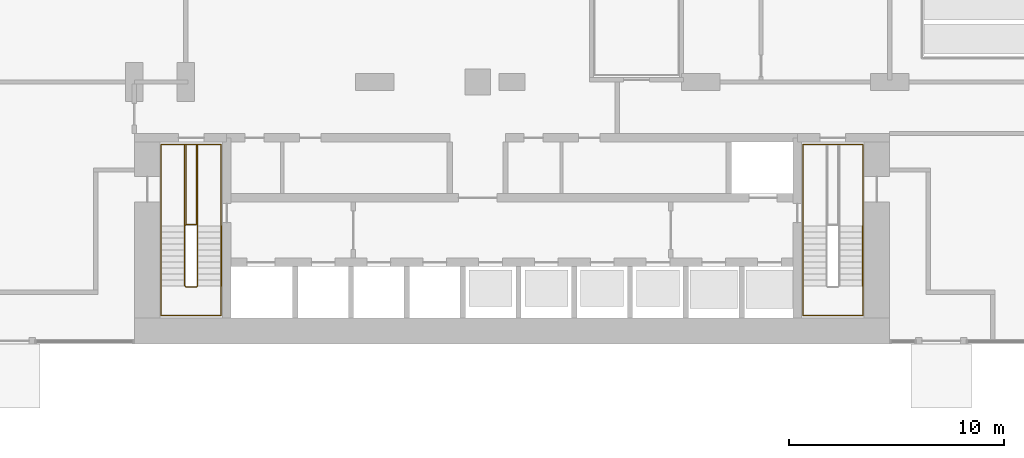
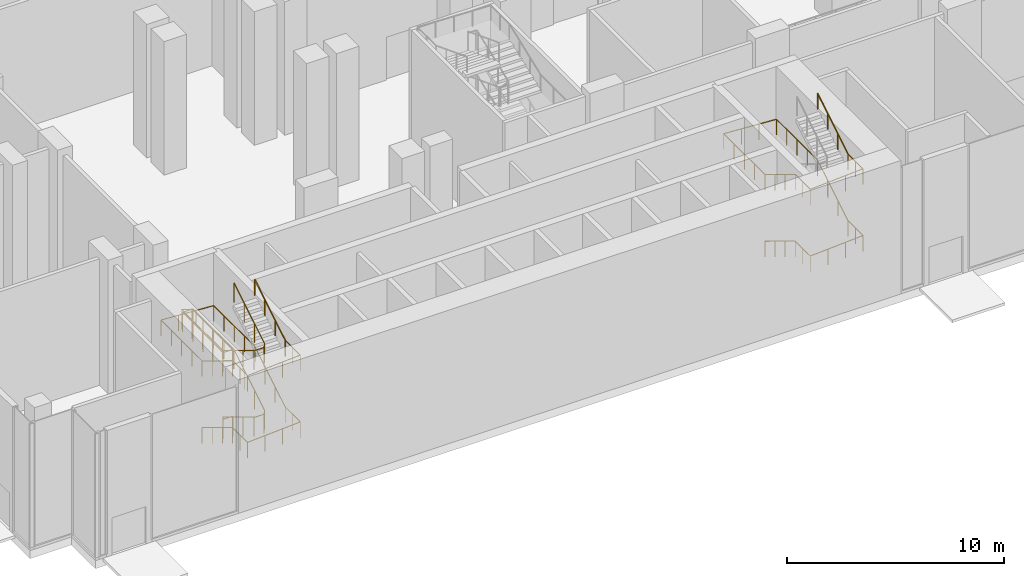
# One storey, part 32 of 41: 7 railings.
"""IFC4 building model written with IfcOpenShell, lengths in metres."""

from ifc_helpers import new_model, si_unit, direction, frame, origin, origin_2d, place, context, subcontext, project, spatial, circle, extrude, material, type_object, element, save


model = new_model("IFC4")

# Units and contexts
model_context = context("Model", 3, precision=1e-05, world=origin(), true_north=direction((0.0, 1.0)))
body_context = subcontext(model_context, "Body", "Model", "MODEL_VIEW")
ifc_project = project(units=[si_unit("LENGTHUNIT", "METRE"), si_unit("AREAUNIT", "SQUARE_METRE"), si_unit("VOLUMEUNIT", "CUBIC_METRE"), si_unit("PLANEANGLEUNIT", "RADIAN"), si_unit("MASSUNIT", "GRAM", prefix="KILO")], contexts=[model_context])

# Site, building, storey
site_placement = place(None, origin())
site = spatial("IfcSite", under=ifc_project, at=site_placement, CompositionType="ELEMENT")
building_placement = place(site_placement, origin())
building = spatial("IfcBuilding", under=site, at=building_placement, Name="Kemantara Hotel Tower", CompositionType="ELEMENT")
storey_placement = place(building_placement, origin())
storey = spatial("IfcBuildingStorey", under=building, at=storey_placement, Name="L00", CompositionType="ELEMENT", Elevation=0.0)

# Railings
ifc_material = material(Name="Stainless steel balustrade", Category="steel")
railing_type_1 = type_object("IfcRailingType", Name="Stair guard 1100 mm", PredefinedType="GUARDRAIL", material=ifc_material)
railing_1_placement = place(storey_placement, frame((12.75, 5.5, 7.5)))
element("IfcRailing", 1, at=railing_1_placement, inside=storey, type_object=railing_type_1, Name="L00 ST1 stair guard 1", PredefinedType="GUARDRAIL", context=body_context, shape_type="SweptSolid", body=[
    extrude(circle(Radius=0.02392578125, at=origin_2d()), frame((0.0, 0.0, 1.076171875), z_axis=(0.0, -0.854169791009, -0.51999420009), x_axis=(1.0, 0.0, 0.0)), (0.0, 0.0, 1.0), 3.278076171875),
    extrude(circle(Radius=0.02392578125, at=origin_2d()), frame((0.0, -2.800048828125, -0.62841796875), z_axis=(-0.271230943075, -0.271230943075, -0.923508284228), x_axis=(0.707106781187, -0.707106781187, 0.0)), (0.0, 0.0, 1.0), 0.1845703125),
    extrude(circle(Radius=0.02392578125, at=origin_2d()), frame((-0.050048828125, -2.85009765625, -0.798828125), z_axis=(-1.0, 0.0, 0.0), x_axis=(0.0, -1.0, 0.0)), (0.0, 0.0, 1.0), 0.5),
    extrude(circle(Radius=0.02392578125, at=origin_2d()), frame((-0.550048828125, -2.85009765625, -0.798828125), z_axis=(-0.707106781187, 0.707106781187, 0.0), x_axis=(-0.707106781187, -0.707106781187, 0.0)), (0.0, 0.0, 1.0), 0.07080078125),
    extrude(circle(Radius=0.02392578125, at=origin_2d()), frame((-0.60009765625, -2.800048828125, -0.798828125), z_axis=(0.0, 0.854169791009, -0.51999420009), x_axis=(-1.0, 0.0, 0.0)), (0.0, 0.0, 1.0), 3.278076171875),
    extrude(circle(Radius=0.02392578125, at=origin_2d()), frame((-0.60009765625, 0.0, -2.50341796875), z_axis=(0.0, 1.0, 0.0), x_axis=(-1.0, 0.0, 0.0)), (0.0, 0.0, 1.0), 3.780029296875),
    extrude(circle(Radius=0.02392578125, at=origin_2d()), frame((-0.60009765625, 3.780029296875, -2.50341796875), z_axis=(0.955208872194, 0.0, -0.295932442429), x_axis=(0.0, 1.0, 0.0)), (0.0, 0.0, 1.0), 0.575927734375),
    extrude(circle(Radius=0.02392578125, at=origin_2d()), frame((-0.050048828125, 3.780029296875, -2.673828125), z_axis=(0.0, -1.0, 0.0), x_axis=(1.0, 0.0, 0.0)), (0.0, 0.0, 1.0), 3.72998046875),
    extrude(circle(Radius=0.02392578125, at=origin_2d()), frame((-0.050048828125, 0.050048828125, -2.673828125), z_axis=(-1.0, 0.0, 0.0), x_axis=(0.0, -1.0, 0.0)), (0.0, 0.0, 1.0), 0.5),
    extrude(circle(Radius=0.02392578125, at=origin_2d()), frame((-0.550048828125, 0.050048828125, -2.673828125), z_axis=(0.0, 1.0, 0.0), x_axis=(-1.0, 0.0, 0.0)), (0.0, 0.0, 1.0), 3.72998046875),
    extrude(circle(Radius=0.02392578125, at=origin_2d()), frame((-0.550048828125, 3.780029296875, -2.673828125), z_axis=(1.0, 0.0, 0.0), x_axis=(0.0, 1.0, 0.0)), (0.0, 0.0, 1.0), 0.550048828125),
    extrude(circle(Radius=0.02392578125, at=origin_2d()), frame((0.0, 3.780029296875, -2.673828125), z_axis=(0.0, -1.0, 0.0), x_axis=(1.0, 0.0, 0.0)), (0.0, 0.0, 1.0), 3.780029296875),
    extrude(circle(Radius=0.02392578125, at=origin_2d()), frame((0.0, 0.0, -2.673828125), z_axis=(0.0, -0.854169791009, -0.51999420009), x_axis=(1.0, 0.0, 0.0)), (0.0, 0.0, 1.0), 3.278076171875),
    extrude(circle(Radius=0.02392578125, at=origin_2d()), frame((0.0, -2.800048828125, -4.37841796875), z_axis=(-0.271230943075, -0.271230943075, -0.923508284228), x_axis=(0.707106781187, -0.707106781187, 0.0)), (0.0, 0.0, 1.0), 0.1845703125),
    extrude(circle(Radius=0.02392578125, at=origin_2d()), frame((-0.050048828125, -2.85009765625, -4.548828125), z_axis=(-1.0, 0.0, 0.0), x_axis=(0.0, -1.0, 0.0)), (0.0, 0.0, 1.0), 0.5),
    extrude(circle(Radius=0.02392578125, at=origin_2d()), frame((-0.550048828125, -2.85009765625, -4.548828125), z_axis=(-0.707106781187, 0.707106781187, 0.0), x_axis=(-0.707106781187, -0.707106781187, 0.0)), (0.0, 0.0, 1.0), 0.07080078125),
    extrude(circle(Radius=0.02392578125, at=origin_2d()), frame((-0.60009765625, -2.800048828125, -4.548828125), z_axis=(0.0, 0.854169791009, -0.51999420009), x_axis=(-1.0, 0.0, 0.0)), (0.0, 0.0, 1.0), 3.278076171875),
    extrude(circle(Radius=0.02392578125, at=origin_2d()), frame((-0.60009765625, 0.0, -6.25341796875), z_axis=(0.271230943075, 0.271230943075, -0.923508284228), x_axis=(-0.707106781187, 0.707106781187, 0.0)), (0.0, 0.0, 1.0), 0.1845703125),
    extrude(circle(Radius=0.02392578125, at=origin_2d()), frame((-0.550048828125, 0.050048828125, -6.423828125), z_axis=(1.0, 0.0, 0.0), x_axis=(0.0, 1.0, 0.0)), (0.0, 0.0, 1.0), 0.5),
    extrude(circle(Radius=0.02099609375, at=origin_2d()), origin(), (0.0, 0.0, 1.0), 1.052001953125),
    extrude(circle(Radius=0.02099609375, at=origin_2d()), frame((0.0, -0.933349609375, -0.568115234375)), (0.0, 0.0, 1.0), 1.052001953125),
    extrude(circle(Radius=0.02099609375, at=origin_2d()), frame((0.0, -1.86669921875, -1.136474609375)), (0.0, 0.0, 1.0), 1.052001953125),
    extrude(circle(Radius=0.02099609375, at=origin_2d()), frame((0.0, -2.800048828125, -1.70458984375)), (0.0, 0.0, 1.0), 1.052001953125),
    extrude(circle(Radius=0.02099609375, at=origin_2d()), frame((-0.050048828125, -2.85009765625, -1.875)), (0.0, 0.0, 1.0), 1.052001953125),
    extrude(circle(Radius=0.02099609375, at=origin_2d()), frame((-0.550048828125, -2.85009765625, -1.875)), (0.0, 0.0, 1.0), 1.052001953125),
    extrude(circle(Radius=0.02099609375, at=origin_2d()), frame((-0.60009765625, -2.800048828125, -1.875)), (0.0, 0.0, 1.0), 1.052001953125),
    extrude(circle(Radius=0.02099609375, at=origin_2d()), frame((-0.60009765625, -1.86669921875, -2.443115234375)), (0.0, 0.0, 1.0), 1.052001953125),
    extrude(circle(Radius=0.02099609375, at=origin_2d()), frame((-0.60009765625, -0.933349609375, -3.011474609375)), (0.0, 0.0, 1.0), 1.052001953125),
    extrude(circle(Radius=0.02099609375, at=origin_2d()), frame((-0.60009765625, 0.0, -3.57958984375)), (0.0, 0.0, 1.0), 1.052001953125),
    extrude(circle(Radius=0.02099609375, at=origin_2d()), frame((-0.60009765625, 0.945068359375, -3.57958984375)), (0.0, 0.0, 1.0), 1.052001953125),
    extrude(circle(Radius=0.02099609375, at=origin_2d()), frame((-0.60009765625, 1.89013671875, -3.57958984375)), (0.0, 0.0, 1.0), 1.052001953125),
    extrude(circle(Radius=0.02099609375, at=origin_2d()), frame((-0.60009765625, 2.8349609375, -3.57958984375)), (0.0, 0.0, 1.0), 1.052001953125),
    extrude(circle(Radius=0.02099609375, at=origin_2d()), frame((-0.60009765625, 3.780029296875, -3.57958984375)), (0.0, 0.0, 1.0), 1.052001953125),
    extrude(circle(Radius=0.02099609375, at=origin_2d()), frame((-0.050048828125, 3.780029296875, -3.75)), (0.0, 0.0, 1.0), 1.052001953125),
    extrude(circle(Radius=0.02099609375, at=origin_2d()), frame((-0.050048828125, 2.84765625, -3.75)), (0.0, 0.0, 1.0), 1.052001953125),
    extrude(circle(Radius=0.02099609375, at=origin_2d()), frame((-0.050048828125, 1.9150390625, -3.75)), (0.0, 0.0, 1.0), 1.052001953125),
    extrude(circle(Radius=0.02099609375, at=origin_2d()), frame((-0.050048828125, 0.982421875, -3.75)), (0.0, 0.0, 1.0), 1.052001953125),
    extrude(circle(Radius=0.02099609375, at=origin_2d()), frame((-0.050048828125, 0.050048828125, -3.75)), (0.0, 0.0, 1.0), 1.052001953125),
    extrude(circle(Radius=0.02099609375, at=origin_2d()), frame((-0.550048828125, 0.050048828125, -3.75)), (0.0, 0.0, 1.0), 1.052001953125),
    extrude(circle(Radius=0.02099609375, at=origin_2d()), frame((-0.550048828125, 0.982421875, -3.75)), (0.0, 0.0, 1.0), 1.052001953125),
    extrude(circle(Radius=0.02099609375, at=origin_2d()), frame((-0.550048828125, 1.9150390625, -3.75)), (0.0, 0.0, 1.0), 1.052001953125),
    extrude(circle(Radius=0.02099609375, at=origin_2d()), frame((-0.550048828125, 2.84765625, -3.75)), (0.0, 0.0, 1.0), 1.052001953125),
    extrude(circle(Radius=0.02099609375, at=origin_2d()), frame((-0.550048828125, 3.780029296875, -3.75)), (0.0, 0.0, 1.0), 1.052001953125),
    extrude(circle(Radius=0.02099609375, at=origin_2d()), frame((0.0, 3.780029296875, -3.75)), (0.0, 0.0, 1.0), 1.052001953125),
    extrude(circle(Radius=0.02099609375, at=origin_2d()), frame((0.0, 2.8349609375, -3.75)), (0.0, 0.0, 1.0), 1.052001953125),
    extrude(circle(Radius=0.02099609375, at=origin_2d()), frame((0.0, 1.89013671875, -3.75)), (0.0, 0.0, 1.0), 1.052001953125),
    extrude(circle(Radius=0.02099609375, at=origin_2d()), frame((0.0, 0.945068359375, -3.75)), (0.0, 0.0, 1.0), 1.052001953125),
    extrude(circle(Radius=0.02099609375, at=origin_2d()), frame((0.0, 0.0, -3.75)), (0.0, 0.0, 1.0), 1.052001953125),
    extrude(circle(Radius=0.02099609375, at=origin_2d()), frame((0.0, -0.933349609375, -4.318115234375)), (0.0, 0.0, 1.0), 1.052001953125),
    extrude(circle(Radius=0.02099609375, at=origin_2d()), frame((0.0, -1.86669921875, -4.886474609375)), (0.0, 0.0, 1.0), 1.052001953125),
    extrude(circle(Radius=0.02099609375, at=origin_2d()), frame((0.0, -2.800048828125, -5.45458984375)), (0.0, 0.0, 1.0), 1.052001953125),
    extrude(circle(Radius=0.02099609375, at=origin_2d()), frame((-0.050048828125, -2.85009765625, -5.625)), (0.0, 0.0, 1.0), 1.052001953125),
    extrude(circle(Radius=0.02099609375, at=origin_2d()), frame((-0.550048828125, -2.85009765625, -5.625)), (0.0, 0.0, 1.0), 1.052001953125),
    extrude(circle(Radius=0.02099609375, at=origin_2d()), frame((-0.60009765625, -2.800048828125, -5.625)), (0.0, 0.0, 1.0), 1.052001953125),
    extrude(circle(Radius=0.02099609375, at=origin_2d()), frame((-0.60009765625, -1.86669921875, -6.193115234375)), (0.0, 0.0, 1.0), 1.052001953125),
    extrude(circle(Radius=0.02099609375, at=origin_2d()), frame((-0.60009765625, -0.933349609375, -6.761474609375)), (0.0, 0.0, 1.0), 1.052001953125),
    extrude(circle(Radius=0.02099609375, at=origin_2d()), frame((-0.60009765625, 0.0, -7.32958984375)), (0.0, 0.0, 1.0), 1.052001953125),
    extrude(circle(Radius=0.02099609375, at=origin_2d()), frame((-0.550048828125, 0.050048828125, -7.5)), (0.0, 0.0, 1.0), 1.052001953125),
    extrude(circle(Radius=0.02099609375, at=origin_2d()), frame((-0.050048828125, 0.050048828125, -7.5)), (0.0, 0.0, 1.0), 1.052001953125),
])
railing_type_2 = type_object("IfcRailingType", Name="Stair handrail 900 mm", PredefinedType="HANDRAIL", material=ifc_material)
railing_2_placement = place(storey_placement, frame((11.050048828125, 5.5, 0.17041015625)))
element("IfcRailing", 2, at=railing_2_placement, inside=storey, type_object=railing_type_2, Name="L00 ST1 stair handrail 1", PredefinedType="HANDRAIL", context=body_context, shape_type="SweptSolid", body=[
    extrude(circle(Radius=0.02392578125, at=origin_2d()), frame((0.0, 0.0, 0.8759765625), z_axis=(0.0, -0.854169791009, 0.51999420009), x_axis=(1.0, 0.0, 0.0)), (0.0, 0.0, 1.0), 3.278076171875),
    extrude(circle(Radius=0.02392578125, at=origin_2d()), frame((0.0, -2.800048828125, 2.58056640625), z_axis=(0.0, -1.0, 0.0), x_axis=(1.0, 0.0, 0.0)), (0.0, 0.0, 1.0), 1.3798828125),
    extrude(circle(Radius=0.02392578125, at=origin_2d()), frame((0.0, -4.179931640625, 2.58056640625), z_axis=(0.998153176685, 0.0, 0.060747311651), x_axis=(0.0, 1.0, 0.0)), (0.0, 0.0, 1.0), 2.80517578125),
    extrude(circle(Radius=0.02392578125, at=origin_2d()), frame((2.800048828125, -4.179931640625, 2.7509765625), z_axis=(0.0, 1.0, 0.0), x_axis=(-1.0, 0.0, 0.0)), (0.0, 0.0, 1.0), 1.3798828125),
    extrude(circle(Radius=0.02392578125, at=origin_2d()), frame((2.800048828125, -2.800048828125, 2.7509765625), z_axis=(0.0, 0.854169791009, 0.51999420009), x_axis=(-1.0, 0.0, 0.0)), (0.0, 0.0, 1.0), 3.278076171875),
    extrude(circle(Radius=0.02099609375, at=origin_2d()), origin(), (0.0, 0.0, 1.0), 0.851806640625),
    extrude(circle(Radius=0.02099609375, at=origin_2d()), frame((0.0, -0.933349609375, 0.568115234375)), (0.0, 0.0, 1.0), 0.851806640625),
    extrude(circle(Radius=0.02099609375, at=origin_2d()), frame((0.0, -1.86669921875, 1.136474609375)), (0.0, 0.0, 1.0), 0.851806640625),
    extrude(circle(Radius=0.02099609375, at=origin_2d()), frame((0.0, -2.800048828125, 1.70458984375)), (0.0, 0.0, 1.0), 0.851806640625),
    extrude(circle(Radius=0.02099609375, at=origin_2d()), frame((0.0, -3.489990234375, 1.70458984375)), (0.0, 0.0, 1.0), 0.851806640625),
    extrude(circle(Radius=0.02099609375, at=origin_2d()), frame((0.0, -4.179931640625, 1.70458984375)), (0.0, 0.0, 1.0), 0.851806640625),
    extrude(circle(Radius=0.02099609375, at=origin_2d()), frame((0.933349609375, -4.179931640625, 1.761474609375)), (0.0, 0.0, 1.0), 0.851806640625),
    extrude(circle(Radius=0.02099609375, at=origin_2d()), frame((1.86669921875, -4.179931640625, 1.818115234375)), (0.0, 0.0, 1.0), 0.851806640625),
    extrude(circle(Radius=0.02099609375, at=origin_2d()), frame((2.800048828125, -4.179931640625, 1.875)), (0.0, 0.0, 1.0), 0.851806640625),
    extrude(circle(Radius=0.02099609375, at=origin_2d()), frame((2.800048828125, -3.489990234375, 1.875)), (0.0, 0.0, 1.0), 0.851806640625),
    extrude(circle(Radius=0.02099609375, at=origin_2d()), frame((2.800048828125, -2.800048828125, 1.875)), (0.0, 0.0, 1.0), 0.851806640625),
    extrude(circle(Radius=0.02099609375, at=origin_2d()), frame((2.800048828125, -1.86669921875, 2.443115234375)), (0.0, 0.0, 1.0), 0.851806640625),
    extrude(circle(Radius=0.02099609375, at=origin_2d()), frame((2.800048828125, -0.933349609375, 3.011474609375)), (0.0, 0.0, 1.0), 0.851806640625),
    extrude(circle(Radius=0.02099609375, at=origin_2d()), frame((2.800048828125, 0.0, 3.57958984375)), (0.0, 0.0, 1.0), 0.851806640625),
])
railing_3_placement = place(storey_placement, frame((13.85009765625, 5.5, 3.75)))
element("IfcRailing", 3, at=railing_3_placement, inside=storey, type_object=railing_type_2, Name="L00 ST1 stair handrail 2", PredefinedType="HANDRAIL", context=body_context, shape_type="SweptSolid", body=[
    extrude(circle(Radius=0.02392578125, at=origin_2d()), frame((0.0, 0.0, 0.8759765625), z_axis=(0.0, 1.0, 0.0), x_axis=(-1.0, 0.0, 0.0)), (0.0, 0.0, 1.0), 3.780029296875),
    extrude(circle(Radius=0.02392578125, at=origin_2d()), frame((0.0, 3.780029296875, 0.8759765625), z_axis=(-0.998153176685, 0.0, 0.060747311651), x_axis=(0.0, -1.0, 0.0)), (0.0, 0.0, 1.0), 2.80517578125),
    extrude(circle(Radius=0.02392578125, at=origin_2d()), frame((-2.800048828125, 3.780029296875, 1.04638671875), z_axis=(0.0, -1.0, 0.0), x_axis=(1.0, 0.0, 0.0)), (0.0, 0.0, 1.0), 3.780029296875),
    extrude(circle(Radius=0.02392578125, at=origin_2d()), frame((-2.800048828125, 0.0, 1.04638671875), z_axis=(0.0, -0.854169791009, 0.51999420009), x_axis=(1.0, 0.0, 0.0)), (0.0, 0.0, 1.0), 3.278076171875),
    extrude(circle(Radius=0.02392578125, at=origin_2d()), frame((-2.800048828125, -2.800048828125, 2.7509765625), z_axis=(0.0, -1.0, 0.0), x_axis=(1.0, 0.0, 0.0)), (0.0, 0.0, 1.0), 1.3798828125),
    extrude(circle(Radius=0.02392578125, at=origin_2d()), frame((-2.800048828125, -4.179931640625, 2.7509765625), z_axis=(0.998153176685, 0.0, 0.060747311651), x_axis=(0.0, 1.0, 0.0)), (0.0, 0.0, 1.0), 2.80517578125),
    extrude(circle(Radius=0.02392578125, at=origin_2d()), frame((0.0, -4.179931640625, 2.92138671875), z_axis=(0.0, 1.0, 0.0), x_axis=(-1.0, 0.0, 0.0)), (0.0, 0.0, 1.0), 1.3798828125),
    extrude(circle(Radius=0.02099609375, at=origin_2d()), origin(), (0.0, 0.0, 1.0), 0.851806640625),
    extrude(circle(Radius=0.02099609375, at=origin_2d()), frame((0.0, 0.945068359375, 0.0)), (0.0, 0.0, 1.0), 0.851806640625),
    extrude(circle(Radius=0.02099609375, at=origin_2d()), frame((0.0, 1.89013671875, 0.0)), (0.0, 0.0, 1.0), 0.851806640625),
    extrude(circle(Radius=0.02099609375, at=origin_2d()), frame((0.0, 2.8349609375, 0.0)), (0.0, 0.0, 1.0), 0.851806640625),
    extrude(circle(Radius=0.02099609375, at=origin_2d()), frame((0.0, 3.780029296875, 0.0)), (0.0, 0.0, 1.0), 0.851806640625),
    extrude(circle(Radius=0.02099609375, at=origin_2d()), frame((-0.933349609375, 3.780029296875, 0.056884765625)), (0.0, 0.0, 1.0), 0.851806640625),
    extrude(circle(Radius=0.02099609375, at=origin_2d()), frame((-1.86669921875, 3.780029296875, 0.113525390625)), (0.0, 0.0, 1.0), 0.851806640625),
    extrude(circle(Radius=0.02099609375, at=origin_2d()), frame((-2.800048828125, 3.780029296875, 0.17041015625)), (0.0, 0.0, 1.0), 0.851806640625),
    extrude(circle(Radius=0.02099609375, at=origin_2d()), frame((-2.800048828125, 2.8349609375, 0.17041015625)), (0.0, 0.0, 1.0), 0.851806640625),
    extrude(circle(Radius=0.02099609375, at=origin_2d()), frame((-2.800048828125, 1.89013671875, 0.17041015625)), (0.0, 0.0, 1.0), 0.851806640625),
    extrude(circle(Radius=0.02099609375, at=origin_2d()), frame((-2.800048828125, 0.945068359375, 0.17041015625)), (0.0, 0.0, 1.0), 0.851806640625),
    extrude(circle(Radius=0.02099609375, at=origin_2d()), frame((-2.800048828125, 0.0, 0.17041015625)), (0.0, 0.0, 1.0), 0.851806640625),
    extrude(circle(Radius=0.02099609375, at=origin_2d()), frame((-2.800048828125, -0.933349609375, 0.738525390625)), (0.0, 0.0, 1.0), 0.851806640625),
    extrude(circle(Radius=0.02099609375, at=origin_2d()), frame((-2.800048828125, -1.86669921875, 1.306884765625)), (0.0, 0.0, 1.0), 0.851806640625),
    extrude(circle(Radius=0.02099609375, at=origin_2d()), frame((-2.800048828125, -2.800048828125, 1.875)), (0.0, 0.0, 1.0), 0.851806640625),
    extrude(circle(Radius=0.02099609375, at=origin_2d()), frame((-2.800048828125, -3.489990234375, 1.875)), (0.0, 0.0, 1.0), 0.851806640625),
    extrude(circle(Radius=0.02099609375, at=origin_2d()), frame((-2.800048828125, -4.179931640625, 1.875)), (0.0, 0.0, 1.0), 0.851806640625),
    extrude(circle(Radius=0.02099609375, at=origin_2d()), frame((-1.86669921875, -4.179931640625, 1.931884765625)), (0.0, 0.0, 1.0), 0.851806640625),
    extrude(circle(Radius=0.02099609375, at=origin_2d()), frame((-0.933349609375, -4.179931640625, 1.988525390625)), (0.0, 0.0, 1.0), 0.851806640625),
    extrude(circle(Radius=0.02099609375, at=origin_2d()), frame((0.0, -4.179931640625, 2.04541015625)), (0.0, 0.0, 1.0), 0.851806640625),
    extrude(circle(Radius=0.02099609375, at=origin_2d()), frame((0.0, -3.489990234375, 2.04541015625)), (0.0, 0.0, 1.0), 0.851806640625),
    extrude(circle(Radius=0.02099609375, at=origin_2d()), frame((0.0, -2.800048828125, 2.04541015625)), (0.0, 0.0, 1.0), 0.851806640625),
])
railing_4_placement = place(storey_placement, frame((13.85009765625, 2.699951171875, 5.79541015625)))
element("IfcRailing", 4, at=railing_4_placement, inside=storey, type_object=railing_type_2, Name="L00 ST1 stair handrail 3", PredefinedType="HANDRAIL", context=body_context, shape_type="SweptSolid", body=[
    extrude(circle(Radius=0.02392578125, at=origin_2d()), frame((0.0, 0.0, 0.8759765625), z_axis=(0.0, 0.854169791009, 0.51999420009), x_axis=(-1.0, 0.0, 0.0)), (0.0, 0.0, 1.0), 3.278076171875),
    extrude(circle(Radius=0.02099609375, at=origin_2d()), origin(), (0.0, 0.0, 1.0), 0.851806640625),
    extrude(circle(Radius=0.02099609375, at=origin_2d()), frame((0.0, 0.933349609375, 0.568115234375)), (0.0, 0.0, 1.0), 0.851806640625),
    extrude(circle(Radius=0.02099609375, at=origin_2d()), frame((0.0, 1.86669921875, 1.136474609375)), (0.0, 0.0, 1.0), 0.851806640625),
    extrude(circle(Radius=0.02099609375, at=origin_2d()), frame((0.0, 2.800048828125, 1.70458984375)), (0.0, 0.0, 1.0), 0.851806640625),
])
railing_5_placement = place(storey_placement, frame((40.949951171875, 5.5, 0.17041015625)))
element("IfcRailing", 5, at=railing_5_placement, inside=storey, type_object=railing_type_2, Name="L00 ST2 stair handrail 1", PredefinedType="HANDRAIL", context=body_context, shape_type="SweptSolid", body=[
    extrude(circle(Radius=0.02392578125, at=origin_2d()), frame((0.0, 0.0, 0.8759765625), z_axis=(0.0, -0.854169791009, 0.51999420009), x_axis=(1.0, 0.0, 0.0)), (0.0, 0.0, 1.0), 3.278076171875),
    extrude(circle(Radius=0.02392578125, at=origin_2d()), frame((0.0, -2.800048828125, 2.58056640625), z_axis=(0.0, -1.0, 0.0), x_axis=(1.0, 0.0, 0.0)), (0.0, 0.0, 1.0), 1.3798828125),
    extrude(circle(Radius=0.02392578125, at=origin_2d()), frame((0.0, -4.179931640625, 2.58056640625), z_axis=(0.998153176685, 0.0, 0.060747311651), x_axis=(0.0, 1.0, 0.0)), (0.0, 0.0, 1.0), 2.80517578125),
    extrude(circle(Radius=0.02392578125, at=origin_2d()), frame((2.800048828125, -4.179931640625, 2.7509765625), z_axis=(0.0, 1.0, 0.0), x_axis=(-1.0, 0.0, 0.0)), (0.0, 0.0, 1.0), 1.3798828125),
    extrude(circle(Radius=0.02392578125, at=origin_2d()), frame((2.800048828125, -2.800048828125, 2.7509765625), z_axis=(0.0, 0.854169791009, 0.51999420009), x_axis=(-1.0, 0.0, 0.0)), (0.0, 0.0, 1.0), 3.278076171875),
    extrude(circle(Radius=0.02099609375, at=origin_2d()), origin(), (0.0, 0.0, 1.0), 0.851806640625),
    extrude(circle(Radius=0.02099609375, at=origin_2d()), frame((0.0, -0.933349609375, 0.568115234375)), (0.0, 0.0, 1.0), 0.851806640625),
    extrude(circle(Radius=0.02099609375, at=origin_2d()), frame((0.0, -1.86669921875, 1.136474609375)), (0.0, 0.0, 1.0), 0.851806640625),
    extrude(circle(Radius=0.02099609375, at=origin_2d()), frame((0.0, -2.800048828125, 1.70458984375)), (0.0, 0.0, 1.0), 0.851806640625),
    extrude(circle(Radius=0.02099609375, at=origin_2d()), frame((0.0, -3.489990234375, 1.70458984375)), (0.0, 0.0, 1.0), 0.851806640625),
    extrude(circle(Radius=0.02099609375, at=origin_2d()), frame((0.0, -4.179931640625, 1.70458984375)), (0.0, 0.0, 1.0), 0.851806640625),
    extrude(circle(Radius=0.02099609375, at=origin_2d()), frame((0.933349609375, -4.179931640625, 1.761474609375)), (0.0, 0.0, 1.0), 0.851806640625),
    extrude(circle(Radius=0.02099609375, at=origin_2d()), frame((1.86669921875, -4.179931640625, 1.818115234375)), (0.0, 0.0, 1.0), 0.851806640625),
    extrude(circle(Radius=0.02099609375, at=origin_2d()), frame((2.800048828125, -4.179931640625, 1.875)), (0.0, 0.0, 1.0), 0.851806640625),
    extrude(circle(Radius=0.02099609375, at=origin_2d()), frame((2.800048828125, -3.489990234375, 1.875)), (0.0, 0.0, 1.0), 0.851806640625),
    extrude(circle(Radius=0.02099609375, at=origin_2d()), frame((2.800048828125, -2.800048828125, 1.875)), (0.0, 0.0, 1.0), 0.851806640625),
    extrude(circle(Radius=0.02099609375, at=origin_2d()), frame((2.800048828125, -1.86669921875, 2.443115234375)), (0.0, 0.0, 1.0), 0.851806640625),
    extrude(circle(Radius=0.02099609375, at=origin_2d()), frame((2.800048828125, -0.933349609375, 3.011474609375)), (0.0, 0.0, 1.0), 0.851806640625),
    extrude(circle(Radius=0.02099609375, at=origin_2d()), frame((2.800048828125, 0.0, 3.57958984375)), (0.0, 0.0, 1.0), 0.851806640625),
])
railing_6_placement = place(storey_placement, frame((43.75, 5.5, 3.75)))
element("IfcRailing", 6, at=railing_6_placement, inside=storey, type_object=railing_type_2, Name="L00 ST2 stair handrail 2", PredefinedType="HANDRAIL", context=body_context, shape_type="SweptSolid", body=[
    extrude(circle(Radius=0.02392578125, at=origin_2d()), frame((0.0, 0.0, 0.8759765625), z_axis=(0.0, 1.0, 0.0), x_axis=(-1.0, 0.0, 0.0)), (0.0, 0.0, 1.0), 3.780029296875),
    extrude(circle(Radius=0.02392578125, at=origin_2d()), frame((0.0, 3.780029296875, 0.8759765625), z_axis=(-0.998153176685, 0.0, 0.060747311651), x_axis=(0.0, -1.0, 0.0)), (0.0, 0.0, 1.0), 2.80517578125),
    extrude(circle(Radius=0.02392578125, at=origin_2d()), frame((-2.800048828125, 3.780029296875, 1.04638671875), z_axis=(0.0, -1.0, 0.0), x_axis=(1.0, 0.0, 0.0)), (0.0, 0.0, 1.0), 3.780029296875),
    extrude(circle(Radius=0.02392578125, at=origin_2d()), frame((-2.800048828125, 0.0, 1.04638671875), z_axis=(0.0, -0.854169791009, 0.51999420009), x_axis=(1.0, 0.0, 0.0)), (0.0, 0.0, 1.0), 3.278076171875),
    extrude(circle(Radius=0.02392578125, at=origin_2d()), frame((-2.800048828125, -2.800048828125, 2.7509765625), z_axis=(0.0, -1.0, 0.0), x_axis=(1.0, 0.0, 0.0)), (0.0, 0.0, 1.0), 1.3798828125),
    extrude(circle(Radius=0.02392578125, at=origin_2d()), frame((-2.800048828125, -4.179931640625, 2.7509765625), z_axis=(0.998153176685, 0.0, 0.060747311651), x_axis=(0.0, 1.0, 0.0)), (0.0, 0.0, 1.0), 2.80517578125),
    extrude(circle(Radius=0.02392578125, at=origin_2d()), frame((0.0, -4.179931640625, 2.92138671875), z_axis=(0.0, 1.0, 0.0), x_axis=(-1.0, 0.0, 0.0)), (0.0, 0.0, 1.0), 1.3798828125),
    extrude(circle(Radius=0.02099609375, at=origin_2d()), origin(), (0.0, 0.0, 1.0), 0.851806640625),
    extrude(circle(Radius=0.02099609375, at=origin_2d()), frame((0.0, 0.945068359375, 0.0)), (0.0, 0.0, 1.0), 0.851806640625),
    extrude(circle(Radius=0.02099609375, at=origin_2d()), frame((0.0, 1.89013671875, 0.0)), (0.0, 0.0, 1.0), 0.851806640625),
    extrude(circle(Radius=0.02099609375, at=origin_2d()), frame((0.0, 2.8349609375, 0.0)), (0.0, 0.0, 1.0), 0.851806640625),
    extrude(circle(Radius=0.02099609375, at=origin_2d()), frame((0.0, 3.780029296875, 0.0)), (0.0, 0.0, 1.0), 0.851806640625),
    extrude(circle(Radius=0.02099609375, at=origin_2d()), frame((-0.933349609375, 3.780029296875, 0.056884765625)), (0.0, 0.0, 1.0), 0.851806640625),
    extrude(circle(Radius=0.02099609375, at=origin_2d()), frame((-1.86669921875, 3.780029296875, 0.113525390625)), (0.0, 0.0, 1.0), 0.851806640625),
    extrude(circle(Radius=0.02099609375, at=origin_2d()), frame((-2.800048828125, 3.780029296875, 0.17041015625)), (0.0, 0.0, 1.0), 0.851806640625),
    extrude(circle(Radius=0.02099609375, at=origin_2d()), frame((-2.800048828125, 2.8349609375, 0.17041015625)), (0.0, 0.0, 1.0), 0.851806640625),
    extrude(circle(Radius=0.02099609375, at=origin_2d()), frame((-2.800048828125, 1.89013671875, 0.17041015625)), (0.0, 0.0, 1.0), 0.851806640625),
    extrude(circle(Radius=0.02099609375, at=origin_2d()), frame((-2.800048828125, 0.945068359375, 0.17041015625)), (0.0, 0.0, 1.0), 0.851806640625),
    extrude(circle(Radius=0.02099609375, at=origin_2d()), frame((-2.800048828125, 0.0, 0.17041015625)), (0.0, 0.0, 1.0), 0.851806640625),
    extrude(circle(Radius=0.02099609375, at=origin_2d()), frame((-2.800048828125, -0.933349609375, 0.738525390625)), (0.0, 0.0, 1.0), 0.851806640625),
    extrude(circle(Radius=0.02099609375, at=origin_2d()), frame((-2.800048828125, -1.86669921875, 1.306884765625)), (0.0, 0.0, 1.0), 0.851806640625),
    extrude(circle(Radius=0.02099609375, at=origin_2d()), frame((-2.800048828125, -2.800048828125, 1.875)), (0.0, 0.0, 1.0), 0.851806640625),
    extrude(circle(Radius=0.02099609375, at=origin_2d()), frame((-2.800048828125, -3.489990234375, 1.875)), (0.0, 0.0, 1.0), 0.851806640625),
    extrude(circle(Radius=0.02099609375, at=origin_2d()), frame((-2.800048828125, -4.179931640625, 1.875)), (0.0, 0.0, 1.0), 0.851806640625),
    extrude(circle(Radius=0.02099609375, at=origin_2d()), frame((-1.86669921875, -4.179931640625, 1.931884765625)), (0.0, 0.0, 1.0), 0.851806640625),
    extrude(circle(Radius=0.02099609375, at=origin_2d()), frame((-0.933349609375, -4.179931640625, 1.988525390625)), (0.0, 0.0, 1.0), 0.851806640625),
    extrude(circle(Radius=0.02099609375, at=origin_2d()), frame((0.0, -4.179931640625, 2.04541015625)), (0.0, 0.0, 1.0), 0.851806640625),
    extrude(circle(Radius=0.02099609375, at=origin_2d()), frame((0.0, -3.489990234375, 2.04541015625)), (0.0, 0.0, 1.0), 0.851806640625),
    extrude(circle(Radius=0.02099609375, at=origin_2d()), frame((0.0, -2.800048828125, 2.04541015625)), (0.0, 0.0, 1.0), 0.851806640625),
])
railing_7_placement = place(storey_placement, frame((43.75, 2.699951171875, 5.79541015625)))
element("IfcRailing", 7, at=railing_7_placement, inside=storey, type_object=railing_type_2, Name="L00 ST2 stair handrail 3", PredefinedType="HANDRAIL", context=body_context, shape_type="SweptSolid", body=[
    extrude(circle(Radius=0.02392578125, at=origin_2d()), frame((0.0, 0.0, 0.8759765625), z_axis=(0.0, 0.854169791009, 0.51999420009), x_axis=(-1.0, 0.0, 0.0)), (0.0, 0.0, 1.0), 3.278076171875),
    extrude(circle(Radius=0.02099609375, at=origin_2d()), origin(), (0.0, 0.0, 1.0), 0.851806640625),
    extrude(circle(Radius=0.02099609375, at=origin_2d()), frame((0.0, 0.933349609375, 0.568115234375)), (0.0, 0.0, 1.0), 0.851806640625),
    extrude(circle(Radius=0.02099609375, at=origin_2d()), frame((0.0, 1.86669921875, 1.136474609375)), (0.0, 0.0, 1.0), 0.851806640625),
    extrude(circle(Radius=0.02099609375, at=origin_2d()), frame((0.0, 2.800048828125, 1.70458984375)), (0.0, 0.0, 1.0), 0.851806640625),
])

save(model, "model.ifc")
